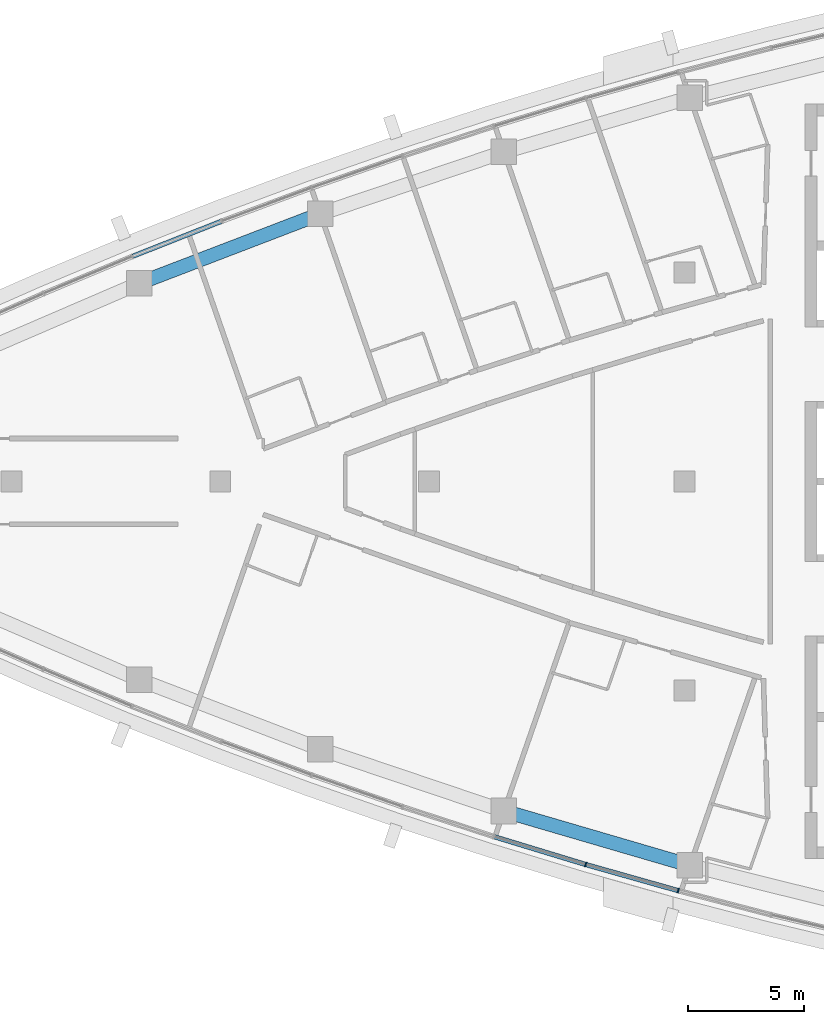
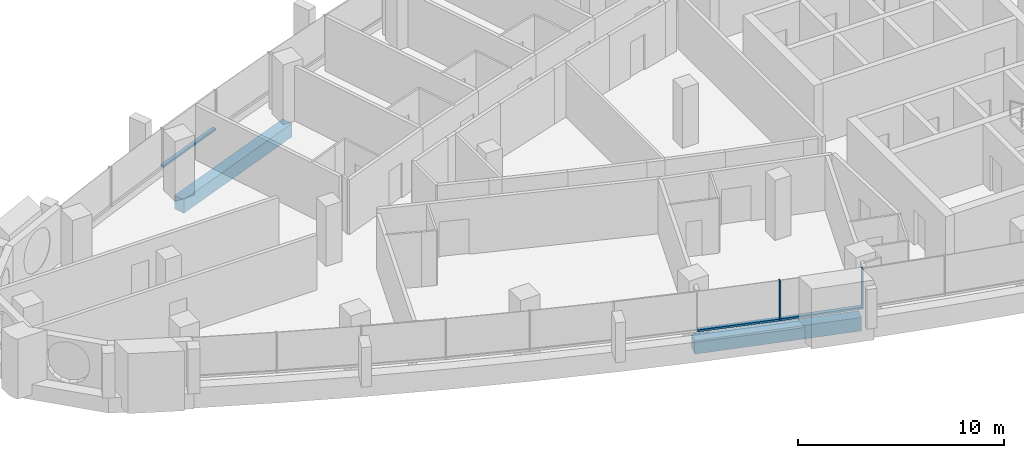
# One storey, part 3 of 14: 5 members, 2 beams, 2 elements without a shape of their own.
"""IFC4 building model written with IfcOpenShell, lengths in metres."""

from ifc_helpers import new_model, si_unit, direction, frame, origin, origin_2d, place, context, subcontext, project, spatial, rectangle, extrude, material, layer, layer_set, material_profile, profile_set, type_object, element, aggregate, save


model = new_model("IFC4")

# Units and contexts
model_context = context("Model", 3, precision=1e-05, world=origin(), true_north=direction((0.0, 1.0)))
body_context = subcontext(model_context, "Body", "Model", "MODEL_VIEW")
ifc_project = project(units=[si_unit("LENGTHUNIT", "METRE"), si_unit("AREAUNIT", "SQUARE_METRE"), si_unit("VOLUMEUNIT", "CUBIC_METRE"), si_unit("PLANEANGLEUNIT", "RADIAN"), si_unit("MASSUNIT", "GRAM", prefix="KILO")], contexts=[model_context])

# Site, building, storey
site_placement = place(None, origin())
site = spatial("IfcSite", under=ifc_project, at=site_placement, CompositionType="ELEMENT")
building_placement = place(site_placement, origin())
building = spatial("IfcBuilding", under=site, at=building_placement, Name="Ostrand Prow Hotel Tower", CompositionType="ELEMENT")
storey_placement = place(building_placement, frame((0.0, 0.0, 285.64990234375)))
storey = spatial("IfcBuildingStorey", under=building, at=storey_placement, Name="L72", CompositionType="ELEMENT", Elevation=285.64990234375)

# Beams
ifc_material_1 = material(Name="Concrete C50/60", Category="concrete")
ifc_material_profile_1 = material_profile(ifc_material_1, rectangle(XDim=0.60009765625, YDim=0.800048828125, at=origin_2d()), Name="RC 600x800")
ifc_profile_set_1 = profile_set([ifc_material_profile_1], Name="Concrete C50/60")
beam_type = type_object("IfcBeamType", Name="Edge beam 600x800 C50/60", PredefinedType="SPANDREL", material=ifc_profile_set_1)
for number, where, z_axis, x_axis, name in (
    (1, (37.22119140625, -14.19580078125, -0.699951171875), (0.959821966031, -0.280609681809, 0.0), (0.280609681809, 0.959821966031, 0.0), "Edge beam S4-S5"),
    (2, (29.31005859375, 11.528076171875, -0.699951171875), (-0.933761753797, -0.357895218111, 0.0), (0.357895218111, -0.933761753797, 0.0), "Edge beam N4-N5"),
):
    element("IfcBeam", number, at=place(storey_placement, frame(where, z_axis=z_axis, x_axis=x_axis)), inside=storey, type_object=beam_type, Name=name, PredefinedType="SPANDREL", context=body_context, shape_type="SweptSolid", body=[
        extrude(rectangle(XDim=0.60009765625, YDim=0.800048828125, at=origin_2d()), origin(), (0.0, 0.0, 1.0), 8.348876953125),
    ])

# Curtain wall, members
ifc_material_2 = material(Name="Insulated glass in bronze anodised frame", Category="glass")
ifc_layer = layer(ifc_material_2, 0.199951171875)
ifc_layer_set = layer_set([ifc_layer], Name="Insulated glass in bronze anodised frame")
curtain_wall_type = type_object("IfcCurtainWallType", Name="Strip curtain wall, fritted glass over bronze spandrel", PredefinedType="NOTDEFINED", material=ifc_layer_set)
curtain_wall_1_placement = place(storey_placement, origin())
curtain_wall_1 = element("IfcCurtainWall", 3, at=curtain_wall_1_placement, inside=storey, type_object=curtain_wall_type, Name="CW1 run CWS4", PredefinedType="NOTDEFINED")
ifc_material_3 = material(Name="Bronze anodised aluminium", Category="aluminium")
ifc_material_profile_2 = material_profile(ifc_material_3, rectangle(XDim=0.199951171875, YDim=0.06005859375, at=origin_2d()), Name="Mullion 60x200 bronze anodised aluminium")
ifc_profile_set_2 = profile_set([ifc_material_profile_2], Name="Bronze anodised aluminium")
member_type_1 = type_object("IfcMemberType", Name="Mullion 60x200 bronze anodised aluminium", PredefinedType="MULLION", material=ifc_profile_set_2)
member_1_placement = place(storey_placement, frame((40.744384765625, -16.502197265625, 0.900146484375), z_axis=(0.0, 0.0, 1.0), x_axis=(0.271648738865, 0.962396468548, 0.0)))
member_1 = element("IfcMember", 4, at=member_1_placement, type_object=member_type_1, Name="CW1 mullion 2", PredefinedType="MULLION", context=body_context, shape_type="SweptSolid", body=[
    extrude(rectangle(XDim=0.199951171875, YDim=0.06005859375, at=origin_2d()), origin(), (0.0, 0.0, 1.0), 2.349853515625),
])
member_2_placement = place(storey_placement, frame((44.728515625, -17.626708984375, 0.900146484375), z_axis=(0.0, 0.0, 1.0), x_axis=(0.271648738865, 0.962396468548, 0.0)))
member_2 = element("IfcMember", 5, at=member_2_placement, type_object=member_type_1, Name="CW1 mullion 3", PredefinedType="MULLION", context=body_context, shape_type="SweptSolid", body=[
    extrude(rectangle(XDim=0.199951171875, YDim=0.06005859375, at=origin_2d()), origin(), (0.0, 0.0, 1.0), 2.349853515625),
])
ifc_material_4 = material(Name="Bronze anodised aluminium", Category="aluminium")
ifc_material_profile_3 = material_profile(ifc_material_4, rectangle(XDim=0.199951171875, YDim=0.1201171875, at=origin_2d()), Name="Transom 120x200 bronze anodised aluminium")
ifc_profile_set_3 = profile_set([ifc_material_profile_3], Name="Bronze anodised aluminium")
member_type_2 = type_object("IfcMemberType", Name="Transom 120x200 bronze anodised aluminium", PredefinedType="USERDEFINED", material=ifc_profile_set_3)
member_3_placement = place(storey_placement, frame((36.8125, -15.306396484375, 0.960205078125), z_axis=(0.956739081124, -0.290947298751, 0.0), x_axis=(0.290947298751, 0.956739081124, 0.0)))
member_3 = element("IfcMember", 6, at=member_3_placement, type_object=member_type_2, Name="CW1 transom 1.1", ObjectType="TRANSOM", PredefinedType="USERDEFINED", context=body_context, shape_type="SweptSolid", body=[
    extrude(rectangle(XDim=0.199951171875, YDim=0.1201171875, at=origin_2d()), origin(), (0.0, 0.0, 1.0), 4.079833984375),
])
member_4_placement = place(storey_placement, frame((40.7734375, -16.51025390625, 0.960205078125), z_axis=(0.962386308628, -0.271684730828, 0.0), x_axis=(0.271684730828, 0.962386308628, 0.0)))
member_4 = element("IfcMember", 7, at=member_4_placement, type_object=member_type_2, Name="CW1 transom 2.1", ObjectType="TRANSOM", PredefinedType="USERDEFINED", context=body_context, shape_type="SweptSolid", body=[
    extrude(rectangle(XDim=0.199951171875, YDim=0.1201171875, at=origin_2d()), origin(), (0.0, 0.0, 1.0), 4.079833984375),
])
aggregate(curtain_wall_1, [member_1, member_2, member_3, member_4])

# Curtain wall, member
curtain_wall_2_placement = place(storey_placement, origin())
curtain_wall_2 = element("IfcCurtainWall", 8, at=curtain_wall_2_placement, inside=storey, type_object=curtain_wall_type, Name="CW1 run CWN4", PredefinedType="NOTDEFINED")
member_5_placement = place(storey_placement, frame((25.0302734375, 11.19921875, 0.960205078125), z_axis=(-0.930289613186, -0.366825892759, 0.0), x_axis=(0.366825892759, -0.930289613186, 0.0)))
member_5 = element("IfcMember", 9, at=member_5_placement, type_object=member_type_2, Name="CW1 transom 2.1", ObjectType="TRANSOM", PredefinedType="USERDEFINED", context=body_context, shape_type="SweptSolid", body=[
    extrude(rectangle(XDim=0.199951171875, YDim=0.1201171875, at=origin_2d()), origin(), (0.0, 0.0, 1.0), 4.079833984375),
])
aggregate(curtain_wall_2, [member_5])

save(model, "model.ifc")
